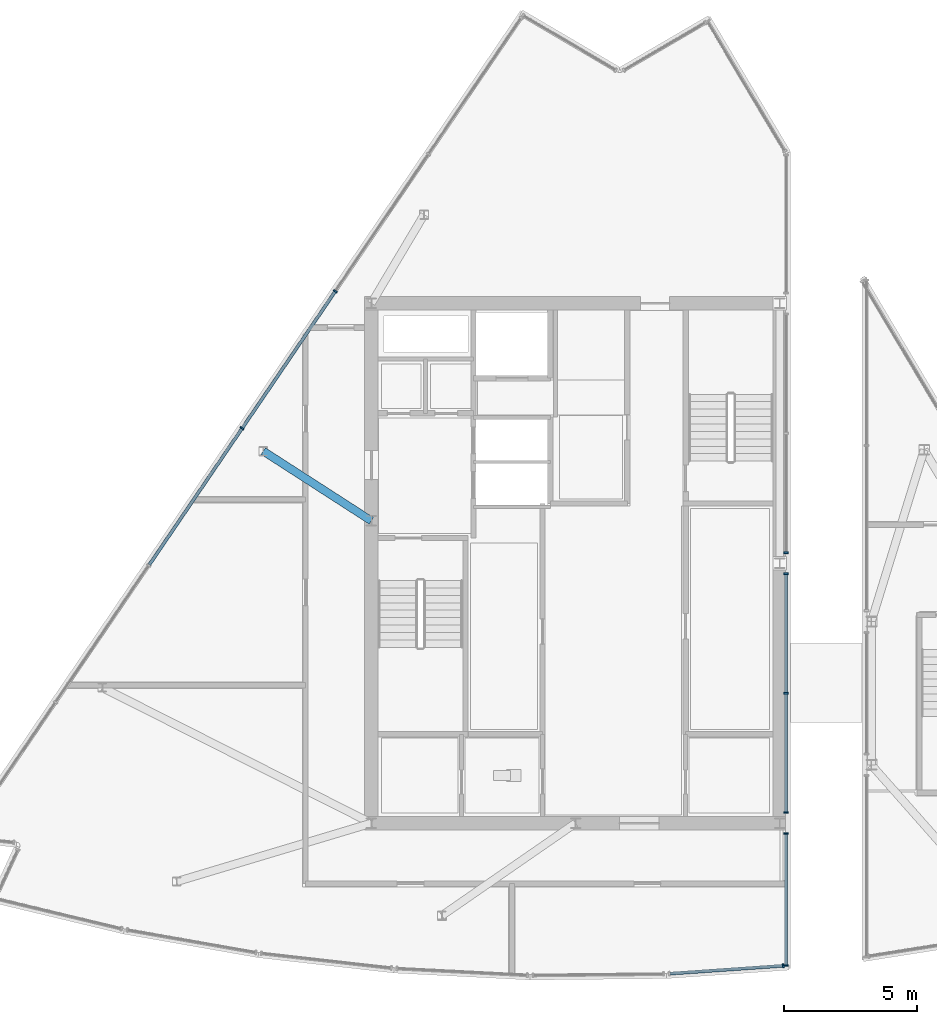
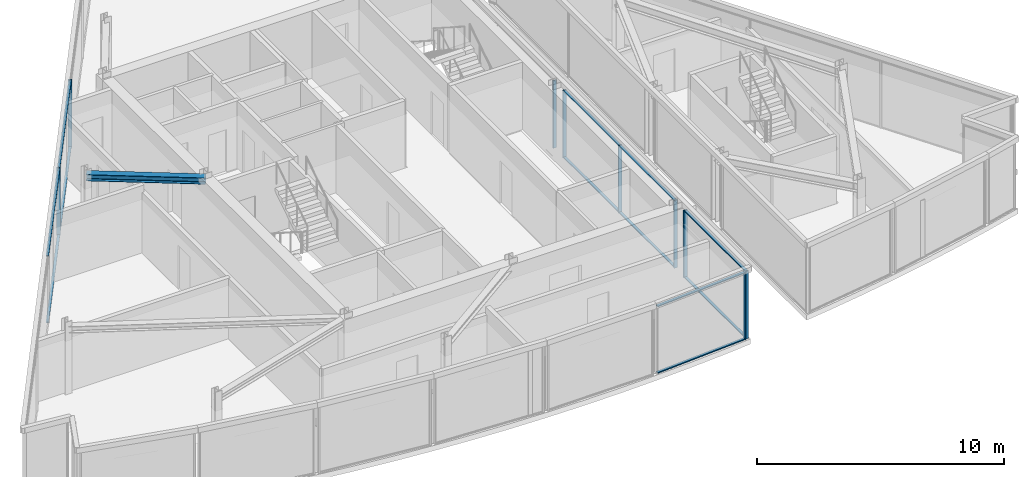
# One storey, part 4 of 15: 21 members, 1 beam, 5 elements without a shape of their own.
"""IFC4 building model written with IfcOpenShell, lengths in metres."""

from ifc_helpers import new_model, si_unit, direction, frame, origin, origin_2d, place, context, subcontext, project, spatial, rectangle, i_section, extrude, material, material_profile, profile_set, type_object, element, aggregate, save


model = new_model("IFC4")

# Units and contexts
model_context = context("Model", 3, precision=1e-05, world=origin(), true_north=direction((0.0, 1.0)))
body_context = subcontext(model_context, "Body", "Model", "MODEL_VIEW")
ifc_project = project(units=[si_unit("LENGTHUNIT", "METRE"), si_unit("AREAUNIT", "SQUARE_METRE"), si_unit("VOLUMEUNIT", "CUBIC_METRE"), si_unit("PLANEANGLEUNIT", "RADIAN"), si_unit("MASSUNIT", "GRAM", prefix="KILO")], contexts=[model_context])

# Site, building, storey
site_placement = place(None, origin())
site = spatial("IfcSite", under=ifc_project, at=site_placement, CompositionType="ELEMENT")
building_placement = place(site_placement, origin())
building = spatial("IfcBuilding", under=site, at=building_placement, Name="Savorim Split Tower", CompositionType="ELEMENT")
storey_placement = place(building_placement, frame((0.0, 0.0, 301.199951171875)))
storey = spatial("IfcBuildingStorey", under=building, at=storey_placement, Name="Crown L80 Plant", CompositionType="ELEMENT", Elevation=301.199951171875)

# Beam
ifc_material_1 = material(Name="Steel S355", Category="steel")
ifc_material_profile_1 = material_profile(ifc_material_1, i_section(OverallWidth=0.300048828125, OverallDepth=0.320068359375, WebThickness=0.011474609375, FlangeThickness=0.0205078125, FilletRadius=0.027099609375, at=origin_2d()), Name="HEB 320")
ifc_profile_set_1 = profile_set([ifc_material_profile_1], Name="Steel S355")
beam_type = type_object("IfcBeamType", Name="BM-PRI-HEB320", PredefinedType="BEAM", material=ifc_profile_set_1)
beam_placement = place(storey_placement, frame((-11.775390625, 4.626708984375, 3.179931640625), z_axis=(0.840541482681, -0.541747188172, 0.0), x_axis=(0.541747188172, 0.840541482681, 0.0)))
element("IfcBeam", 1, at=beam_placement, inside=storey, type_object=beam_type, Name="Crown L80 Plant West Crown Beam WBG-4", PredefinedType="BEAM", context=body_context, shape_type="SweptSolid", body=[
    extrude(i_section(OverallWidth=0.300048828125, OverallDepth=0.320068359375, WebThickness=0.011474609375, FlangeThickness=0.0205078125, FilletRadius=0.027099609375, at=origin_2d()), origin(), (0.0, 0.0, 1.0), 4.8486328125),
])

# Curtain wall, members
ifc_material_2 = material(Name="Dark Ceramic-Fritted Insulated Glass", Category="glass")
curtain_wall_type = type_object("IfcCurtainWallType", Name="CW-CROWN-CREST", PredefinedType="NOTDEFINED", material=ifc_material_2)
curtain_wall_1_placement = place(storey_placement, origin())
curtain_wall_1 = element("IfcCurtainWall", 2, at=curtain_wall_1_placement, inside=storey, type_object=curtain_wall_type, Name="Crown L80 Plant Curtain Wall CW-Crown-L80-Plant-W1AS1", PredefinedType="NOTDEFINED")
ifc_material_3 = material(Name="Charcoal Anodised Aluminium", Category="aluminium")
ifc_material_profile_2 = material_profile(ifc_material_3, rectangle(XDim=0.159912109375, YDim=0.06005859375, at=origin_2d()), Name="ALU-M 160x60")
ifc_profile_set_2 = profile_set([ifc_material_profile_2], Name="Charcoal Anodised Aluminium")
member_type_1 = type_object("IfcMemberType", Name="CWM-160x60", PredefinedType="MULLION", material=ifc_profile_set_2)
member_1_placement = place(storey_placement, frame((7.929931640625, -14.769287109375, 0.0), z_axis=(0.0, 0.0, 1.0), x_axis=(-1.0, 0.0, 0.0)))
member_1 = element("IfcMember", 3, at=member_1_placement, type_object=member_type_1, Name="CW-07 mullion 1", PredefinedType="MULLION", context=body_context, shape_type="SweptSolid", body=[
    extrude(rectangle(XDim=0.159912109375, YDim=0.06005859375, at=origin_2d()), origin(), (0.0, 0.0, 1.0), 3.340087890625),
])
member_2_placement = place(storey_placement, frame((7.929931640625, -9.7958984375, 0.0), z_axis=(0.0, 0.0, 1.0), x_axis=(-1.0, 0.0, 0.0)))
member_2 = element("IfcMember", 4, at=member_2_placement, type_object=member_type_1, Name="CW-07 mullion 2", PredefinedType="MULLION", context=body_context, shape_type="SweptSolid", body=[
    extrude(rectangle(XDim=0.159912109375, YDim=0.06005859375, at=origin_2d()), origin(), (0.0, 0.0, 1.0), 3.340087890625),
])

curtain_wall_2_placement = place(storey_placement, origin())
curtain_wall_2 = element("IfcCurtainWall", 5, at=curtain_wall_2_placement, inside=storey, type_object=curtain_wall_type, Name="Crown L80 Plant Curtain Wall CW-Crown-L80-Plant-W1AS2", PredefinedType="NOTDEFINED")
member_3_placement = place(storey_placement, frame((7.929931640625, -9.00390625, 0.0), z_axis=(0.0, 0.0, 1.0), x_axis=(-1.0, 0.0, 0.0)))
member_3 = element("IfcMember", 6, at=member_3_placement, type_object=member_type_1, Name="CW-07 mullion 1", PredefinedType="MULLION", context=body_context, shape_type="SweptSolid", body=[
    extrude(rectangle(XDim=0.159912109375, YDim=0.06005859375, at=origin_2d()), origin(), (0.0, 0.0, 1.0), 3.340087890625),
])
member_4_placement = place(storey_placement, frame((7.929931640625, -4.5, 0.0), z_axis=(0.0, 0.0, 1.0), x_axis=(-1.0, 0.0, 0.0)))
member_4 = element("IfcMember", 7, at=member_4_placement, type_object=member_type_1, Name="CW-07 mullion 2", PredefinedType="MULLION", context=body_context, shape_type="SweptSolid", body=[
    extrude(rectangle(XDim=0.159912109375, YDim=0.06005859375, at=origin_2d()), origin(), (0.0, 0.0, 1.0), 3.340087890625),
])
member_5_placement = place(storey_placement, frame((7.929931640625, 0.00390625, 0.0), z_axis=(0.0, 0.0, 1.0), x_axis=(-1.0, 0.0, 0.0)))
member_5 = element("IfcMember", 8, at=member_5_placement, type_object=member_type_1, Name="CW-07 mullion 3", PredefinedType="MULLION", context=body_context, shape_type="SweptSolid", body=[
    extrude(rectangle(XDim=0.159912109375, YDim=0.06005859375, at=origin_2d()), origin(), (0.0, 0.0, 1.0), 3.340087890625),
])

# Curtain wall, member
curtain_wall_3_placement = place(storey_placement, origin())
curtain_wall_3 = element("IfcCurtainWall", 9, at=curtain_wall_3_placement, inside=storey, type_object=curtain_wall_type, Name="Crown L80 Plant Curtain Wall CW-Crown-L80-Plant-W1AS3", PredefinedType="NOTDEFINED")
member_6_placement = place(storey_placement, frame((7.929931640625, 0.7958984375, 0.0), z_axis=(0.0, 0.0, 1.0), x_axis=(-1.0, 0.0, 0.0)))
member_6 = element("IfcMember", 10, at=member_6_placement, type_object=member_type_1, Name="CW-07 mullion 1", PredefinedType="MULLION", context=body_context, shape_type="SweptSolid", body=[
    extrude(rectangle(XDim=0.159912109375, YDim=0.06005859375, at=origin_2d()), origin(), (0.0, 0.0, 1.0), 3.340087890625),
])
aggregate(curtain_wall_3, [member_6])

# Curtain wall, members
curtain_wall_4_placement = place(storey_placement, origin())
curtain_wall_4 = element("IfcCurtainWall", 11, at=curtain_wall_4_placement, inside=storey, type_object=curtain_wall_type, Name="Crown L80 Plant Curtain Wall CW-Crown-L80-Plant-W5A", PredefinedType="NOTDEFINED")
member_7_placement = place(storey_placement, frame((-9.058349609375, 10.65234375, 0.0), z_axis=(0.0, 0.0, 1.0), x_axis=(0.826821213744, -0.562464826014, 0.0)))
member_7 = element("IfcMember", 12, at=member_7_placement, type_object=member_type_1, Name="CW-07 mullion 3", PredefinedType="MULLION", context=body_context, shape_type="SweptSolid", body=[
    extrude(rectangle(XDim=0.159912109375, YDim=0.06005859375, at=origin_2d()), origin(), (0.0, 0.0, 1.0), 3.340087890625),
])
member_8_placement = place(storey_placement, frame((-12.57275390625, 5.486083984375, 0.0), z_axis=(0.0, 0.0, 1.0), x_axis=(0.826821213744, -0.562464826014, 0.0)))
member_8 = element("IfcMember", 13, at=member_8_placement, type_object=member_type_1, Name="CW-07 mullion 4", PredefinedType="MULLION", context=body_context, shape_type="SweptSolid", body=[
    extrude(rectangle(XDim=0.159912109375, YDim=0.06005859375, at=origin_2d()), origin(), (0.0, 0.0, 1.0), 3.340087890625),
])

# Curtain wall, member
curtain_wall_5_placement = place(storey_placement, origin())
curtain_wall_5 = element("IfcCurtainWall", 14, at=curtain_wall_5_placement, inside=storey, type_object=curtain_wall_type, Name="Crown L80 Plant Curtain Wall CW-Crown-L80-Plant-W13A", PredefinedType="NOTDEFINED")
member_9_placement = place(storey_placement, frame((7.827392578125, -14.7744140625, 0.0), z_axis=(0.0, 0.0, 1.0), x_axis=(-0.069280764346, 0.997597201125, 0.0)))
member_9 = element("IfcMember", 15, at=member_9_placement, type_object=member_type_1, Name="CW-07 mullion 2", PredefinedType="MULLION", context=body_context, shape_type="SweptSolid", body=[
    extrude(rectangle(XDim=0.159912109375, YDim=0.06005859375, at=origin_2d()), origin(), (0.0, 0.0, 1.0), 3.340087890625),
])

# Member
ifc_material_profile_3 = material_profile(ifc_material_3, rectangle(XDim=0.1201171875, YDim=0.050048828125, at=origin_2d()), Name="ALU-T 120x50")
ifc_profile_set_3 = profile_set([ifc_material_profile_3], Name="Charcoal Anodised Aluminium")
member_type_2 = type_object("IfcMemberType", Name="CWT-120x50", PredefinedType="USERDEFINED", material=ifc_profile_set_3)
member_10_placement = place(storey_placement, frame((7.929931640625, -14.7392578125, 0.025146484375), z_axis=(0.0, 1.0, 0.0), x_axis=(-1.0, 0.0, 0.0)))
member_10 = element("IfcMember", 16, at=member_10_placement, type_object=member_type_2, Name="CW-07 transom 1.1", ObjectType="TRANSOM", PredefinedType="USERDEFINED", context=body_context, shape_type="SweptSolid", body=[
    extrude(rectangle(XDim=0.1201171875, YDim=0.050048828125, at=origin_2d()), origin(), (0.0, 0.0, 1.0), 4.913330078125),
])

member_11_placement = place(storey_placement, frame((7.929931640625, -14.7392578125, 3.31494140625), z_axis=(0.0, 1.0, 0.0), x_axis=(-1.0, 0.0, 0.0)))
member_11 = element("IfcMember", 17, at=member_11_placement, type_object=member_type_2, Name="CW-07 transom 1.2", ObjectType="TRANSOM", PredefinedType="USERDEFINED", context=body_context, shape_type="SweptSolid", body=[
    extrude(rectangle(XDim=0.1201171875, YDim=0.050048828125, at=origin_2d()), origin(), (0.0, 0.0, 1.0), 4.913330078125),
])

aggregate(curtain_wall_1, [member_1, member_2, member_10, member_11])

member_12_placement = place(storey_placement, frame((7.929931640625, -8.97412109375, 0.025146484375), z_axis=(0.0, 1.0, 0.0), x_axis=(-1.0, 0.0, 0.0)))
member_12 = element("IfcMember", 18, at=member_12_placement, type_object=member_type_2, Name="CW-07 transom 1.1", ObjectType="TRANSOM", PredefinedType="USERDEFINED", context=body_context, shape_type="SweptSolid", body=[
    extrude(rectangle(XDim=0.1201171875, YDim=0.050048828125, at=origin_2d()), origin(), (0.0, 0.0, 1.0), 4.444091796875),
])

member_13_placement = place(storey_placement, frame((7.929931640625, -8.97412109375, 3.31494140625), z_axis=(0.0, 1.0, 0.0), x_axis=(-1.0, 0.0, 0.0)))
member_13 = element("IfcMember", 19, at=member_13_placement, type_object=member_type_2, Name="CW-07 transom 1.2", ObjectType="TRANSOM", PredefinedType="USERDEFINED", context=body_context, shape_type="SweptSolid", body=[
    extrude(rectangle(XDim=0.1201171875, YDim=0.050048828125, at=origin_2d()), origin(), (0.0, 0.0, 1.0), 4.444091796875),
])

member_14_placement = place(storey_placement, frame((7.929931640625, -4.469970703125, 0.025146484375), z_axis=(0.0, 1.0, 0.0), x_axis=(-1.0, 0.0, 0.0)))
member_14 = element("IfcMember", 20, at=member_14_placement, type_object=member_type_2, Name="CW-07 transom 2.1", ObjectType="TRANSOM", PredefinedType="USERDEFINED", context=body_context, shape_type="SweptSolid", body=[
    extrude(rectangle(XDim=0.1201171875, YDim=0.050048828125, at=origin_2d()), origin(), (0.0, 0.0, 1.0), 4.444091796875),
])

member_15_placement = place(storey_placement, frame((7.929931640625, -4.469970703125, 3.31494140625), z_axis=(0.0, 1.0, 0.0), x_axis=(-1.0, 0.0, 0.0)))
member_15 = element("IfcMember", 21, at=member_15_placement, type_object=member_type_2, Name="CW-07 transom 2.2", ObjectType="TRANSOM", PredefinedType="USERDEFINED", context=body_context, shape_type="SweptSolid", body=[
    extrude(rectangle(XDim=0.1201171875, YDim=0.050048828125, at=origin_2d()), origin(), (0.0, 0.0, 1.0), 4.444091796875),
])

aggregate(curtain_wall_2, [member_3, member_4, member_5, member_12, member_13, member_14, member_15])

member_16_placement = place(storey_placement, frame((-9.0751953125, 10.627685546875, 0.025146484375), z_axis=(-0.562441658859, -0.826836973278, 0.0), x_axis=(0.826836973278, -0.562441658859, 0.0)))
member_16 = element("IfcMember", 22, at=member_16_placement, type_object=member_type_2, Name="CW-07 transom 3.1", ObjectType="TRANSOM", PredefinedType="USERDEFINED", context=body_context, shape_type="SweptSolid", body=[
    extrude(rectangle(XDim=0.1201171875, YDim=0.050048828125, at=origin_2d()), origin(), (0.0, 0.0, 1.0), 6.1884765625),
])

member_17_placement = place(storey_placement, frame((-9.0751953125, 10.627685546875, 3.31494140625), z_axis=(-0.562441658859, -0.826836973278, 0.0), x_axis=(0.826836973278, -0.562441658859, 0.0)))
member_17 = element("IfcMember", 23, at=member_17_placement, type_object=member_type_2, Name="CW-07 transom 3.2", ObjectType="TRANSOM", PredefinedType="USERDEFINED", context=body_context, shape_type="SweptSolid", body=[
    extrude(rectangle(XDim=0.1201171875, YDim=0.050048828125, at=origin_2d()), origin(), (0.0, 0.0, 1.0), 6.1884765625),
])

member_18_placement = place(storey_placement, frame((-12.589599609375, 5.461181640625, 0.025146484375), z_axis=(-0.562486975218, -0.826806145786, 0.0), x_axis=(0.826806145786, -0.562486975218, 0.0)))
member_18 = element("IfcMember", 24, at=member_18_placement, type_object=member_type_2, Name="CW-07 transom 4.1", ObjectType="TRANSOM", PredefinedType="USERDEFINED", context=body_context, shape_type="SweptSolid", body=[
    extrude(rectangle(XDim=0.1201171875, YDim=0.050048828125, at=origin_2d()), origin(), (0.0, 0.0, 1.0), 6.1884765625),
])

member_19_placement = place(storey_placement, frame((-12.589599609375, 5.461181640625, 3.31494140625), z_axis=(-0.562486975218, -0.826806145786, 0.0), x_axis=(0.826806145786, -0.562486975218, 0.0)))
member_19 = element("IfcMember", 25, at=member_19_placement, type_object=member_type_2, Name="CW-07 transom 4.2", ObjectType="TRANSOM", PredefinedType="USERDEFINED", context=body_context, shape_type="SweptSolid", body=[
    extrude(rectangle(XDim=0.1201171875, YDim=0.050048828125, at=origin_2d()), origin(), (0.0, 0.0, 1.0), 6.1884765625),
])

aggregate(curtain_wall_4, [member_7, member_8, member_16, member_17, member_18, member_19])

member_20_placement = place(storey_placement, frame((3.561279296875, -15.07080078125, 0.025146484375), z_axis=(0.997597145019, 0.069281572229, 0.0), x_axis=(-0.069281572229, 0.997597145019, 0.0)))
member_20 = element("IfcMember", 26, at=member_20_placement, type_object=member_type_2, Name="CW-07 transom 1.1", ObjectType="TRANSOM", PredefinedType="USERDEFINED", context=body_context, shape_type="SweptSolid", body=[
    extrude(rectangle(XDim=0.1201171875, YDim=0.050048828125, at=origin_2d()), origin(), (0.0, 0.0, 1.0), 4.246337890625),
])

member_21_placement = place(storey_placement, frame((3.561279296875, -15.07080078125, 3.31494140625), z_axis=(0.997597145019, 0.069281572229, 0.0), x_axis=(-0.069281572229, 0.997597145019, 0.0)))
member_21 = element("IfcMember", 27, at=member_21_placement, type_object=member_type_2, Name="CW-07 transom 1.2", ObjectType="TRANSOM", PredefinedType="USERDEFINED", context=body_context, shape_type="SweptSolid", body=[
    extrude(rectangle(XDim=0.1201171875, YDim=0.050048828125, at=origin_2d()), origin(), (0.0, 0.0, 1.0), 4.246337890625),
])

aggregate(curtain_wall_5, [member_9, member_20, member_21])

save(model, "model.ifc")
